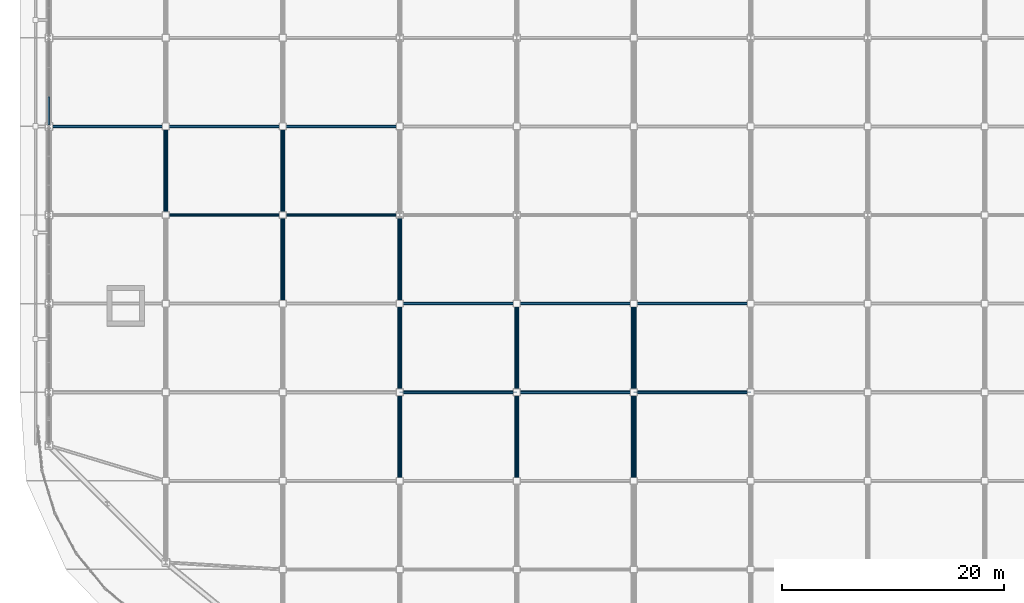
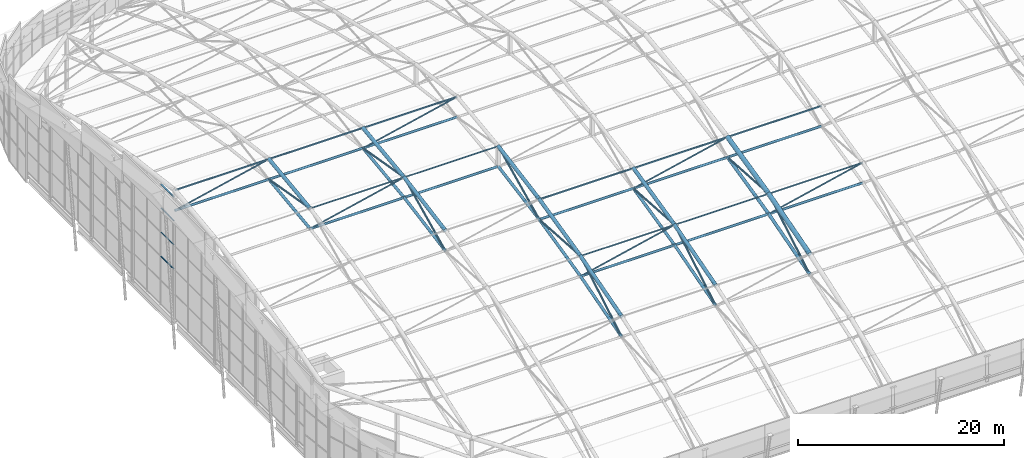
# One storey, part 7 of 42: 62 members, 1 element without a shape of its own.
"""IFC4 building model written with IfcOpenShell, lengths in metres."""

from ifc_helpers import new_model, si_unit, direction, frame, origin, origin_2d, place, context, subcontext, project, spatial, rectangle, hollow_rectangle, hollow_circle, extrude, material, layer, layer_set, material_profile, profile_set, type_object, element, aggregate, save


model = new_model("IFC4")

# Units and contexts
model_context = context("Model", 3, precision=1e-05, world=origin(), true_north=direction((0.0, 1.0)))
body_context = subcontext(model_context, "Body", "Model", "MODEL_VIEW")
ifc_project = project(units=[si_unit("LENGTHUNIT", "METRE"), si_unit("AREAUNIT", "SQUARE_METRE"), si_unit("VOLUMEUNIT", "CUBIC_METRE"), si_unit("PLANEANGLEUNIT", "RADIAN"), si_unit("MASSUNIT", "GRAM", prefix="KILO")], contexts=[model_context])

# Site, building, storey
site_placement = place(None, origin())
site = spatial("IfcSite", under=ifc_project, at=site_placement, CompositionType="ELEMENT")
building_placement = place(site_placement, origin())
building = spatial("IfcBuilding", under=site, at=building_placement, Name="Caelomonte Colonnade Arena", CompositionType="ELEMENT")
storey_placement = place(building_placement, frame((0.0, 0.0, 28.199951171875)))
storey = spatial("IfcBuildingStorey", under=building, at=storey_placement, Name="RF", CompositionType="ELEMENT", Elevation=28.199951171875)

# Curtain wall, members
ifc_material_1 = material(Name="Bronze anodised aluminium and low-E glazing", Category="aluminium")
ifc_layer = layer(ifc_material_1, 0.179931640625)
ifc_layer_set = layer_set([ifc_layer], Name="Bronze anodised aluminium and low-E glazing")
curtain_wall_type = type_object("IfcCurtainWallType", Name="ENV-CW-CW-TYMP-05", PredefinedType="USERDEFINED", material=ifc_layer_set)
curtain_wall_placement = place(storey_placement, origin())
curtain_wall = element("IfcCurtainWall", 1, at=curtain_wall_placement, inside=storey, type_object=curtain_wall_type, Name="Barrel arch W clerestory tympanum curtain wall 5", ObjectType="UNITIZED CURTAIN WALL", PredefinedType="USERDEFINED")
ifc_material_2 = material(Name="Bronze anodised aluminium AA6063-T6", Category="aluminium")
ifc_material_profile_1 = material_profile(ifc_material_2, rectangle(XDim=0.070068359375, YDim=0.139892578125, at=origin_2d()), Name="CWT-70X140")
ifc_profile_set_1 = profile_set([ifc_material_profile_1], Name="Bronze anodised aluminium AA6063-T6")
member_type_1 = type_object("IfcMemberType", Name="ENV-CW-TRAN1", PredefinedType="USERDEFINED", material=ifc_profile_set_1)
member_1_placement = place(storey_placement, frame((57.60009765625, 69.8583984375, 5.56396484375), z_axis=(0.0, -1.0, 0.0), x_axis=(0.0, 0.0, 1.0)))
member_1 = element("IfcMember", 2, at=member_1_placement, type_object=member_type_1, Name="CW-TYMP-05 transom 3.3", ObjectType="TRANSOM", PredefinedType="USERDEFINED", context=body_context, shape_type="SweptSolid", body=[
    extrude(rectangle(XDim=0.070068359375, YDim=0.139892578125, at=origin_2d()), origin(), (0.0, 0.0, 1.0), 2.50830078125),
])
member_2_placement = place(storey_placement, frame((57.60009765625, 69.8583984375, 8.421142578125), z_axis=(0.0, -1.0, 0.0), x_axis=(0.0, 0.0, 1.0)))
member_2 = element("IfcMember", 3, at=member_2_placement, type_object=member_type_1, Name="CW-TYMP-05 transom 3.4", ObjectType="TRANSOM", PredefinedType="USERDEFINED", context=body_context, shape_type="SweptSolid", body=[
    extrude(rectangle(XDim=0.070068359375, YDim=0.139892578125, at=origin_2d()), origin(), (0.0, 0.0, 1.0), 2.50830078125),
])
member_3_placement = place(storey_placement, frame((57.60009765625, 69.8583984375, 11.278076171875), z_axis=(0.0, -1.0, 0.0), x_axis=(0.0, 0.0, 1.0)))
member_3 = element("IfcMember", 4, at=member_3_placement, type_object=member_type_1, Name="CW-TYMP-05 transom 3.5", ObjectType="TRANSOM", PredefinedType="USERDEFINED", context=body_context, shape_type="SweptSolid", body=[
    extrude(rectangle(XDim=0.070068359375, YDim=0.139892578125, at=origin_2d()), origin(), (0.0, 0.0, 1.0), 2.50830078125),
])
member_4_placement = place(storey_placement, frame((57.60009765625, 69.8583984375, 14.10009765625), z_axis=(0.0, -1.0, 0.0), x_axis=(0.0, 0.0, 1.0)))
member_4 = element("IfcMember", 5, at=member_4_placement, type_object=member_type_1, Name="CW-TYMP-05 transom 3.6", ObjectType="TRANSOM", PredefinedType="USERDEFINED", context=body_context, shape_type="SweptSolid", body=[
    extrude(rectangle(XDim=0.070068359375, YDim=0.139892578125, at=origin_2d()), origin(), (0.0, 0.0, 1.0), 2.50830078125),
])
aggregate(curtain_wall, [member_1, member_2, member_3, member_4])

# Members
ifc_material_3 = material(Name="Steel ASTM A500 Grade C", Category="steel")
ifc_material_profile_2 = material_profile(ifc_material_3, hollow_circle(Radius=0.177734375, WallThickness=0.0126953125, at=origin_2d()), Name="CHS355.6X12.7")
ifc_profile_set_2 = profile_set([ifc_material_profile_2], Name="Steel ASTM A500 Grade C")
member_type_2 = type_object("IfcMemberType", Name="STR-SF-BC1", PredefinedType="CHORD", material=ifc_profile_set_2)
member_5_placement = place(storey_placement, frame((110.39990234375, 35.201904296875, 5.936767578125), z_axis=(0.0, 0.960531688459, 0.278170586988), x_axis=(-1.0, 0.0, 0.0)))
element("IfcMember", 6, at=member_5_placement, inside=storey, type_object=member_type_2, Name="Arched roof truss bottom chord 5-2", PredefinedType="CHORD", context=body_context, shape_type="SweptSolid", body=[
    extrude(hollow_circle(Radius=0.177734375, WallThickness=0.0126953125, at=origin_2d()), origin(), (0.0, 0.0, 1.0), 8.32470703125),
])
member_6_placement = place(storey_placement, frame((110.39990234375, 43.201904296875, 8.253662109375), z_axis=(0.0, 0.973406253466, 0.229085716955), x_axis=(-1.0, 0.0, 0.0)))
element("IfcMember", 7, at=member_6_placement, inside=storey, type_object=member_type_2, Name="Arched roof truss bottom chord 5-3", PredefinedType="CHORD", context=body_context, shape_type="SweptSolid", body=[
    extrude(hollow_circle(Radius=0.177734375, WallThickness=0.0126953125, at=origin_2d()), origin(), (0.0, 0.0, 1.0), 8.214599609375),
])
ifc_material_profile_3 = material_profile(ifc_material_3, hollow_circle(Radius=0.161865234375, WallThickness=0.010009765625, at=origin_2d()), Name="CHS323.9X10.0")
ifc_profile_set_3 = profile_set([ifc_material_profile_3], Name="Steel ASTM A500 Grade C")
member_type_3 = type_object("IfcMemberType", Name="STR-SF-BC2", PredefinedType="CHORD", material=ifc_profile_set_3)
member_7_placement = place(storey_placement, frame((68.159912109375, 59.201904296875, 11.58544921875), z_axis=(0.0, 0.992048803131, 0.125853773113), x_axis=(-1.0, 0.0, 0.0)))
element("IfcMember", 8, at=member_7_placement, inside=storey, type_object=member_type_3, Name="Arched roof truss bottom chord 1-5", PredefinedType="CHORD", context=body_context, shape_type="SweptSolid", body=[
    extrude(hollow_circle(Radius=0.161865234375, WallThickness=0.010009765625, at=origin_2d()), origin(), (0.0, 0.0, 1.0), 8.060302734375),
])
member_8_placement = place(storey_placement, frame((78.719970703125, 51.201904296875, 10.136474609375), z_axis=(0.0, 0.983990820662, 0.178219148393), x_axis=(-1.0, 0.0, 0.0)))
element("IfcMember", 9, at=member_8_placement, inside=storey, type_object=member_type_3, Name="Arched roof truss bottom chord 2-4", PredefinedType="CHORD", context=body_context, shape_type="SweptSolid", body=[
    extrude(hollow_circle(Radius=0.161865234375, WallThickness=0.010009765625, at=origin_2d()), origin(), (0.0, 0.0, 1.0), 8.126220703125),
])
member_9_placement = place(storey_placement, frame((78.719970703125, 59.201904296875, 11.58544921875), z_axis=(0.0, 0.992048803131, 0.125853773113), x_axis=(-1.0, 0.0, 0.0)))
element("IfcMember", 10, at=member_9_placement, inside=storey, type_object=member_type_3, Name="Arched roof truss bottom chord 2-5", PredefinedType="CHORD", context=body_context, shape_type="SweptSolid", body=[
    extrude(hollow_circle(Radius=0.161865234375, WallThickness=0.010009765625, at=origin_2d()), origin(), (0.0, 0.0, 1.0), 8.060302734375),
])
member_10_placement = place(storey_placement, frame((89.280029296875, 35.201904296875, 5.936767578125), z_axis=(0.0, 0.960531688459, 0.278170586988), x_axis=(-1.0, 0.0, 0.0)))
element("IfcMember", 11, at=member_10_placement, inside=storey, type_object=member_type_3, Name="Arched roof truss bottom chord 3-2", PredefinedType="CHORD", context=body_context, shape_type="SweptSolid", body=[
    extrude(hollow_circle(Radius=0.161865234375, WallThickness=0.010009765625, at=origin_2d()), origin(), (0.0, 0.0, 1.0), 8.32470703125),
])
member_11_placement = place(storey_placement, frame((89.280029296875, 43.201904296875, 8.253662109375), z_axis=(0.0, 0.973406253466, 0.229085716955), x_axis=(-1.0, 0.0, 0.0)))
element("IfcMember", 12, at=member_11_placement, inside=storey, type_object=member_type_3, Name="Arched roof truss bottom chord 3-3", PredefinedType="CHORD", context=body_context, shape_type="SweptSolid", body=[
    extrude(hollow_circle(Radius=0.161865234375, WallThickness=0.010009765625, at=origin_2d()), origin(), (0.0, 0.0, 1.0), 8.214599609375),
])
member_12_placement = place(storey_placement, frame((89.280029296875, 51.201904296875, 10.136474609375), z_axis=(0.0, 0.983990820662, 0.178219148393), x_axis=(-1.0, 0.0, 0.0)))
element("IfcMember", 13, at=member_12_placement, inside=storey, type_object=member_type_3, Name="Arched roof truss bottom chord 3-4", PredefinedType="CHORD", context=body_context, shape_type="SweptSolid", body=[
    extrude(hollow_circle(Radius=0.161865234375, WallThickness=0.010009765625, at=origin_2d()), origin(), (0.0, 0.0, 1.0), 8.126220703125),
])
member_13_placement = place(storey_placement, frame((99.840087890625, 35.201904296875, 5.936767578125), z_axis=(0.0, 0.960531688459, 0.278170586988), x_axis=(-1.0, 0.0, 0.0)))
element("IfcMember", 14, at=member_13_placement, inside=storey, type_object=member_type_3, Name="Arched roof truss bottom chord 4-2", PredefinedType="CHORD", context=body_context, shape_type="SweptSolid", body=[
    extrude(hollow_circle(Radius=0.161865234375, WallThickness=0.010009765625, at=origin_2d()), origin(), (0.0, 0.0, 1.0), 8.32470703125),
])
member_14_placement = place(storey_placement, frame((99.840087890625, 43.201904296875, 8.253662109375), z_axis=(0.0, 0.973406253466, 0.229085716955), x_axis=(-1.0, 0.0, 0.0)))
element("IfcMember", 15, at=member_14_placement, inside=storey, type_object=member_type_3, Name="Arched roof truss bottom chord 4-3", PredefinedType="CHORD", context=body_context, shape_type="SweptSolid", body=[
    extrude(hollow_circle(Radius=0.161865234375, WallThickness=0.010009765625, at=origin_2d()), origin(), (0.0, 0.0, 1.0), 8.214599609375),
])
ifc_material_profile_4 = material_profile(ifc_material_3, hollow_rectangle(XDim=0.15234375, YDim=0.15234375, WallThickness=0.008056640625, InnerFilletRadius=0.008056640625, OuterFilletRadius=0.01611328125, at=origin_2d()), Name="HSS152X152X8.0")
ifc_profile_set_4 = profile_set([ifc_material_profile_4], Name="Steel ASTM A500 Grade C")
member_type_4 = type_object("IfcMemberType", Name="STR-SF-PUR2", PredefinedType="PURLIN", material=ifc_profile_set_4)
for number, where, z_axis, x_axis, name in (
    (16, (57.60205078125, 67.199951171875, 15.0), (1.0, 0.0, 0.0), (0.0, 1.0, 0.0), "Arched roof purlin 0-6"),
    (17, (68.162109375, 67.199951171875, 15.0), (1.0, 0.0, 0.0), (0.0, 1.0, 0.0), "Arched roof purlin 1-6"),
):
    element("IfcMember", number, at=place(storey_placement, frame(where, z_axis=z_axis, x_axis=x_axis)), inside=storey, type_object=member_type_4, Name=name, PredefinedType="PURLIN", context=body_context, shape_type="SweptSolid", body=[
        extrude(hollow_rectangle(XDim=0.15234375, YDim=0.15234375, WallThickness=0.008056640625, InnerFilletRadius=0.008056640625, OuterFilletRadius=0.01611328125, at=origin_2d()), origin(), (0.0, 0.0, 1.0), 10.555908203125),
    ])
member_15_placement = place(storey_placement, frame((78.721923828125, 67.199951171875, 15.0), z_axis=(1.0, 0.0, 0.0), x_axis=(0.0, 1.0, 0.0)))
element("IfcMember", 18, at=member_15_placement, inside=storey, type_object=member_type_4, Name="Arched roof purlin 2-6", PredefinedType="PURLIN", context=body_context, shape_type="SweptSolid", body=[
    extrude(hollow_rectangle(XDim=0.15234375, YDim=0.15234375, WallThickness=0.008056640625, InnerFilletRadius=0.008056640625, OuterFilletRadius=0.01611328125, at=origin_2d()), origin(), (0.0, 0.0, 1.0), 10.55615234375),
])
for number, where, z_axis, x_axis, name in (
    (19, (89.281982421875, 51.199951171875, 12.5361328125), (1.0, 0.0, 0.0), (0.0, 1.0, 0.0), "Arched roof purlin 3-4"),
    (20, (99.842041015625, 51.199951171875, 12.5361328125), (1.0, 0.0, 0.0), (0.0, 1.0, 0.0), "Arched roof purlin 4-4"),
    (21, (110.402099609375, 51.199951171875, 12.5361328125), (1.0, 0.0, 0.0), (0.0, 1.0, 0.0), "Arched roof purlin 5-4"),
):
    element("IfcMember", number, at=place(storey_placement, frame(where, z_axis=z_axis, x_axis=x_axis)), inside=storey, type_object=member_type_4, Name=name, PredefinedType="PURLIN", context=body_context, shape_type="SweptSolid", body=[
        extrude(hollow_rectangle(XDim=0.15234375, YDim=0.15234375, WallThickness=0.008056640625, InnerFilletRadius=0.008056640625, OuterFilletRadius=0.01611328125, at=origin_2d()), origin(), (0.0, 0.0, 1.0), 10.555908203125),
    ])
ifc_material_profile_5 = material_profile(ifc_material_3, hollow_rectangle(XDim=0.126953125, YDim=0.126953125, WallThickness=0.00634765625, InnerFilletRadius=0.00634765625, OuterFilletRadius=0.0126953125, at=origin_2d()), Name="HSS127X127X6.4")
ifc_profile_set_5 = profile_set([ifc_material_profile_5], Name="Steel ASTM A500 Grade C")
member_type_5 = type_object("IfcMemberType", Name="STR-SF-PUR3", PredefinedType="PURLIN", material=ifc_profile_set_5)
member_16_placement = place(storey_placement, frame((68.162109375, 59.199951171875, 13.985107421875), z_axis=(1.0, 0.0, 0.0), x_axis=(0.0, 1.0, 0.0)))
element("IfcMember", 22, at=member_16_placement, inside=storey, type_object=member_type_5, Name="Arched roof purlin 1-5", PredefinedType="PURLIN", context=body_context, shape_type="SweptSolid", body=[
    extrude(hollow_rectangle(XDim=0.126953125, YDim=0.126953125, WallThickness=0.00634765625, InnerFilletRadius=0.00634765625, OuterFilletRadius=0.0126953125, at=origin_2d()), origin(), (0.0, 0.0, 1.0), 10.555908203125),
])
member_17_placement = place(storey_placement, frame((78.721923828125, 59.199951171875, 13.985107421875), z_axis=(1.0, 0.0, 0.0), x_axis=(0.0, 1.0, 0.0)))
element("IfcMember", 23, at=member_17_placement, inside=storey, type_object=member_type_5, Name="Arched roof purlin 2-5", PredefinedType="PURLIN", context=body_context, shape_type="SweptSolid", body=[
    extrude(hollow_rectangle(XDim=0.126953125, YDim=0.126953125, WallThickness=0.00634765625, InnerFilletRadius=0.00634765625, OuterFilletRadius=0.0126953125, at=origin_2d()), origin(), (0.0, 0.0, 1.0), 10.55615234375),
])
for number, where, z_axis, x_axis, name in (
    (24, (89.281982421875, 43.199951171875, 10.653076171875), (1.0, 0.0, 0.0), (0.0, 1.0, 0.0), "Arched roof purlin 3-3"),
    (25, (99.842041015625, 43.199951171875, 10.653076171875), (1.0, 0.0, 0.0), (0.0, 1.0, 0.0), "Arched roof purlin 4-3"),
    (26, (110.402099609375, 43.199951171875, 10.653076171875), (1.0, 0.0, 0.0), (0.0, 1.0, 0.0), "Arched roof purlin 5-3"),
):
    element("IfcMember", number, at=place(storey_placement, frame(where, z_axis=z_axis, x_axis=x_axis)), inside=storey, type_object=member_type_5, Name=name, PredefinedType="PURLIN", context=body_context, shape_type="SweptSolid", body=[
        extrude(hollow_rectangle(XDim=0.126953125, YDim=0.126953125, WallThickness=0.00634765625, InnerFilletRadius=0.00634765625, OuterFilletRadius=0.0126953125, at=origin_2d()), origin(), (0.0, 0.0, 1.0), 10.555908203125),
    ])
ifc_material_profile_6 = material_profile(ifc_material_3, hollow_circle(Radius=0.25390625, WallThickness=0.015869140625, at=origin_2d()), Name="CHS508X15.9")
ifc_profile_set_6 = profile_set([ifc_material_profile_6], Name="Steel ASTM A500 Grade C")
member_type_6 = type_object("IfcMemberType", Name="STR-SF-TC1", PredefinedType="CHORD", material=ifc_profile_set_6)
member_18_placement = place(storey_placement, frame((110.39990234375, 35.201904296875, 8.336669921875), z_axis=(0.0, 0.960531688459, 0.278170586988), x_axis=(-1.0, 0.0, 0.0)))
element("IfcMember", 27, at=member_18_placement, inside=storey, type_object=member_type_6, Name="Arched roof truss top chord 5-2", PredefinedType="CHORD", context=body_context, shape_type="SweptSolid", body=[
    extrude(hollow_circle(Radius=0.25390625, WallThickness=0.015869140625, at=origin_2d()), origin(), (0.0, 0.0, 1.0), 8.32470703125),
])
member_19_placement = place(storey_placement, frame((110.39990234375, 43.201904296875, 10.653564453125), z_axis=(0.0, 0.973399625624, 0.229113877441), x_axis=(-1.0, 0.0, 0.0)))
element("IfcMember", 28, at=member_19_placement, inside=storey, type_object=member_type_6, Name="Arched roof truss top chord 5-3", PredefinedType="CHORD", context=body_context, shape_type="SweptSolid", body=[
    extrude(hollow_circle(Radius=0.25390625, WallThickness=0.015869140625, at=origin_2d()), origin(), (0.0, 0.0, 1.0), 8.214599609375),
])
ifc_material_profile_7 = material_profile(ifc_material_3, hollow_circle(Radius=0.203125, WallThickness=0.0126953125, at=origin_2d()), Name="CHS406.4X12.7")
ifc_profile_set_7 = profile_set([ifc_material_profile_7], Name="Steel ASTM A500 Grade C")
member_type_7 = type_object("IfcMemberType", Name="STR-SF-TC2", PredefinedType="CHORD", material=ifc_profile_set_7)
member_20_placement = place(storey_placement, frame((68.159912109375, 59.201904296875, 13.9853515625), z_axis=(0.0, 0.992048803131, 0.125853773113), x_axis=(-1.0, 0.0, 0.0)))
element("IfcMember", 29, at=member_20_placement, inside=storey, type_object=member_type_7, Name="Arched roof truss top chord 1-5", PredefinedType="CHORD", context=body_context, shape_type="SweptSolid", body=[
    extrude(hollow_circle(Radius=0.203125, WallThickness=0.0126953125, at=origin_2d()), origin(), (0.0, 0.0, 1.0), 8.060302734375),
])
member_21_placement = place(storey_placement, frame((78.719970703125, 51.201904296875, 12.536376953125), z_axis=(0.0, 0.983990820662, 0.178219148393), x_axis=(-1.0, 0.0, 0.0)))
element("IfcMember", 30, at=member_21_placement, inside=storey, type_object=member_type_7, Name="Arched roof truss top chord 2-4", PredefinedType="CHORD", context=body_context, shape_type="SweptSolid", body=[
    extrude(hollow_circle(Radius=0.203125, WallThickness=0.0126953125, at=origin_2d()), origin(), (0.0, 0.0, 1.0), 8.126220703125),
])
member_22_placement = place(storey_placement, frame((78.719970703125, 59.201904296875, 13.9853515625), z_axis=(0.0, 0.992048803131, 0.125853773113), x_axis=(-1.0, 0.0, 0.0)))
element("IfcMember", 31, at=member_22_placement, inside=storey, type_object=member_type_7, Name="Arched roof truss top chord 2-5", PredefinedType="CHORD", context=body_context, shape_type="SweptSolid", body=[
    extrude(hollow_circle(Radius=0.203125, WallThickness=0.0126953125, at=origin_2d()), origin(), (0.0, 0.0, 1.0), 8.060302734375),
])
member_23_placement = place(storey_placement, frame((89.280029296875, 35.201904296875, 8.336669921875), z_axis=(0.0, 0.960531688459, 0.278170586988), x_axis=(-1.0, 0.0, 0.0)))
element("IfcMember", 32, at=member_23_placement, inside=storey, type_object=member_type_7, Name="Arched roof truss top chord 3-2", PredefinedType="CHORD", context=body_context, shape_type="SweptSolid", body=[
    extrude(hollow_circle(Radius=0.203125, WallThickness=0.0126953125, at=origin_2d()), origin(), (0.0, 0.0, 1.0), 8.32470703125),
])
member_24_placement = place(storey_placement, frame((89.280029296875, 43.201904296875, 10.653564453125), z_axis=(0.0, 0.973399625624, 0.229113877441), x_axis=(-1.0, 0.0, 0.0)))
element("IfcMember", 33, at=member_24_placement, inside=storey, type_object=member_type_7, Name="Arched roof truss top chord 3-3", PredefinedType="CHORD", context=body_context, shape_type="SweptSolid", body=[
    extrude(hollow_circle(Radius=0.203125, WallThickness=0.0126953125, at=origin_2d()), origin(), (0.0, 0.0, 1.0), 8.214599609375),
])
member_25_placement = place(storey_placement, frame((89.280029296875, 51.201904296875, 12.536376953125), z_axis=(0.0, 0.983990820662, 0.178219148393), x_axis=(-1.0, 0.0, 0.0)))
element("IfcMember", 34, at=member_25_placement, inside=storey, type_object=member_type_7, Name="Arched roof truss top chord 3-4", PredefinedType="CHORD", context=body_context, shape_type="SweptSolid", body=[
    extrude(hollow_circle(Radius=0.203125, WallThickness=0.0126953125, at=origin_2d()), origin(), (0.0, 0.0, 1.0), 8.126220703125),
])
member_26_placement = place(storey_placement, frame((99.840087890625, 35.201904296875, 8.336669921875), z_axis=(0.0, 0.960531688459, 0.278170586988), x_axis=(-1.0, 0.0, 0.0)))
element("IfcMember", 35, at=member_26_placement, inside=storey, type_object=member_type_7, Name="Arched roof truss top chord 4-2", PredefinedType="CHORD", context=body_context, shape_type="SweptSolid", body=[
    extrude(hollow_circle(Radius=0.203125, WallThickness=0.0126953125, at=origin_2d()), origin(), (0.0, 0.0, 1.0), 8.32470703125),
])
member_27_placement = place(storey_placement, frame((99.840087890625, 43.201904296875, 10.653564453125), z_axis=(0.0, 0.973399625624, 0.229113877441), x_axis=(-1.0, 0.0, 0.0)))
element("IfcMember", 36, at=member_27_placement, inside=storey, type_object=member_type_7, Name="Arched roof truss top chord 4-3", PredefinedType="CHORD", context=body_context, shape_type="SweptSolid", body=[
    extrude(hollow_circle(Radius=0.203125, WallThickness=0.0126953125, at=origin_2d()), origin(), (0.0, 0.0, 1.0), 8.214599609375),
])
ifc_material_profile_8 = material_profile(ifc_material_3, hollow_circle(Radius=0.136474609375, WallThickness=0.00927734375, at=origin_2d()), Name="CHS273.0X9.3")
ifc_profile_set_8 = profile_set([ifc_material_profile_8], Name="Steel ASTM A500 Grade C")
member_type_8 = type_object("IfcMemberType", Name="STR-SF-TIE", PredefinedType="STRUT", material=ifc_profile_set_8)
for number, where, z_axis, x_axis, name in (
    (37, (57.60205078125, 67.199951171875, 12.60009765625), (1.0, 0.0, 0.0), (0.0, 1.0, 0.0), "Space frame roof tie strut 0-6"),
    (38, (68.162109375, 59.199951171875, 11.5849609375), (1.0, 0.0, 0.0), (0.0, 1.0, 0.0), "Space frame roof tie strut 1-5"),
    (39, (68.162109375, 67.199951171875, 12.60009765625), (1.0, 0.0, 0.0), (0.0, 1.0, 0.0), "Space frame roof tie strut 1-6"),
):
    element("IfcMember", number, at=place(storey_placement, frame(where, z_axis=z_axis, x_axis=x_axis)), inside=storey, type_object=member_type_8, Name=name, PredefinedType="STRUT", context=body_context, shape_type="SweptSolid", body=[
        extrude(hollow_circle(Radius=0.136474609375, WallThickness=0.00927734375, at=origin_2d()), origin(), (0.0, 0.0, 1.0), 10.555908203125),
    ])
for number, where, z_axis, x_axis, name in (
    (40, (78.721923828125, 59.199951171875, 11.5849609375), (1.0, 0.0, 0.0), (0.0, 1.0, 0.0), "Space frame roof tie strut 2-5"),
    (41, (78.721923828125, 67.199951171875, 12.60009765625), (1.0, 0.0, 0.0), (0.0, 1.0, 0.0), "Space frame roof tie strut 2-6"),
):
    element("IfcMember", number, at=place(storey_placement, frame(where, z_axis=z_axis, x_axis=x_axis)), inside=storey, type_object=member_type_8, Name=name, PredefinedType="STRUT", context=body_context, shape_type="SweptSolid", body=[
        extrude(hollow_circle(Radius=0.136474609375, WallThickness=0.00927734375, at=origin_2d()), origin(), (0.0, 0.0, 1.0), 10.55615234375),
    ])
for number, where, z_axis, x_axis, name in (
    (42, (89.281982421875, 43.199951171875, 8.2529296875), (1.0, 0.0, 0.0), (0.0, 1.0, 0.0), "Space frame roof tie strut 3-3"),
    (43, (89.281982421875, 51.199951171875, 10.135986328125), (1.0, 0.0, 0.0), (0.0, 1.0, 0.0), "Space frame roof tie strut 3-4"),
    (44, (99.842041015625, 43.199951171875, 8.2529296875), (1.0, 0.0, 0.0), (0.0, 1.0, 0.0), "Space frame roof tie strut 4-3"),
    (45, (99.842041015625, 51.199951171875, 10.135986328125), (1.0, 0.0, 0.0), (0.0, 1.0, 0.0), "Space frame roof tie strut 4-4"),
    (46, (110.402099609375, 43.199951171875, 8.2529296875), (1.0, 0.0, 0.0), (0.0, 1.0, 0.0), "Space frame roof tie strut 5-3"),
    (47, (110.402099609375, 51.199951171875, 10.135986328125), (1.0, 0.0, 0.0), (0.0, 1.0, 0.0), "Space frame roof tie strut 5-4"),
):
    element("IfcMember", number, at=place(storey_placement, frame(where, z_axis=z_axis, x_axis=x_axis)), inside=storey, type_object=member_type_8, Name=name, PredefinedType="STRUT", context=body_context, shape_type="SweptSolid", body=[
        extrude(hollow_circle(Radius=0.136474609375, WallThickness=0.00927734375, at=origin_2d()), origin(), (0.0, 0.0, 1.0), 10.555908203125),
    ])
ifc_material_profile_9 = material_profile(ifc_material_3, hollow_circle(Radius=0.109619140625, WallThickness=0.00830078125, at=origin_2d()), Name="CHS219.1X8.2")
ifc_profile_set_9 = profile_set([ifc_material_profile_9], Name="Steel ASTM A500 Grade C")
member_type_9 = type_object("IfcMemberType", Name="STR-SF-WEB1", PredefinedType="BRACE", material=ifc_profile_set_9)
member_28_placement = place(storey_placement, frame((68.159912109375, 59.201904296875, 13.98486328125), z_axis=(0.0, 0.985338447855, -0.1706110875), x_axis=(-1.0, 0.0, 0.0)))
element("IfcMember", 48, at=member_28_placement, inside=storey, type_object=member_type_9, Name="Space frame roof truss web diagonal 1-5", PredefinedType="BRACE", context=body_context, shape_type="SweptSolid", body=[
    extrude(hollow_circle(Radius=0.109619140625, WallThickness=0.00830078125, at=origin_2d()), origin(), (0.0, 0.0, 1.0), 8.114990234375),
])
member_29_placement = place(storey_placement, frame((78.719970703125, 51.201904296875, 10.136962890625), z_axis=(0.0, 0.901130279028, 0.433548405854), x_axis=(-1.0, 0.0, 0.0)))
element("IfcMember", 49, at=member_29_placement, inside=storey, type_object=member_type_9, Name="Space frame roof truss web diagonal 2-4", PredefinedType="BRACE", context=body_context, shape_type="SweptSolid", body=[
    extrude(hollow_circle(Radius=0.109619140625, WallThickness=0.00830078125, at=origin_2d()), origin(), (0.0, 0.0, 1.0), 8.873779296875),
])
member_30_placement = place(storey_placement, frame((78.719970703125, 59.201904296875, 13.98486328125), z_axis=(0.0, 0.985338447855, -0.1706110875), x_axis=(-1.0, 0.0, 0.0)))
element("IfcMember", 50, at=member_30_placement, inside=storey, type_object=member_type_9, Name="Space frame roof truss web diagonal 2-5", PredefinedType="BRACE", context=body_context, shape_type="SweptSolid", body=[
    extrude(hollow_circle(Radius=0.109619140625, WallThickness=0.00830078125, at=origin_2d()), origin(), (0.0, 0.0, 1.0), 8.114990234375),
])
member_31_placement = place(storey_placement, frame((89.280029296875, 35.20166015625, 5.93701171875), z_axis=(0.0, 0.861405734482, 0.507917474203), x_axis=(-1.0, 0.0, 0.0)))
element("IfcMember", 51, at=member_31_placement, inside=storey, type_object=member_type_9, Name="Space frame roof truss web diagonal 3-2", PredefinedType="BRACE", context=body_context, shape_type="SweptSolid", body=[
    extrude(hollow_circle(Radius=0.109619140625, WallThickness=0.00830078125, at=origin_2d()), origin(), (0.0, 0.0, 1.0), 9.283203125),
])
member_32_placement = place(storey_placement, frame((89.280029296875, 43.201904296875, 10.65283203125), z_axis=(0.0, 0.997919495279, -0.064472326942), x_axis=(-1.0, 0.0, 0.0)))
element("IfcMember", 52, at=member_32_placement, inside=storey, type_object=member_type_9, Name="Space frame roof truss web diagonal 3-3", PredefinedType="BRACE", context=body_context, shape_type="SweptSolid", body=[
    extrude(hollow_circle(Radius=0.109619140625, WallThickness=0.00830078125, at=origin_2d()), origin(), (0.0, 0.0, 1.0), 8.0126953125),
])
member_33_placement = place(storey_placement, frame((89.280029296875, 51.201904296875, 10.136962890625), z_axis=(0.0, 0.901130279028, 0.433548405854), x_axis=(-1.0, 0.0, 0.0)))
element("IfcMember", 53, at=member_33_placement, inside=storey, type_object=member_type_9, Name="Space frame roof truss web diagonal 3-4", PredefinedType="BRACE", context=body_context, shape_type="SweptSolid", body=[
    extrude(hollow_circle(Radius=0.109619140625, WallThickness=0.00830078125, at=origin_2d()), origin(), (0.0, 0.0, 1.0), 8.873779296875),
])
member_34_placement = place(storey_placement, frame((99.840087890625, 35.20166015625, 5.93701171875), z_axis=(0.0, 0.861405734482, 0.507917474203), x_axis=(-1.0, 0.0, 0.0)))
element("IfcMember", 54, at=member_34_placement, inside=storey, type_object=member_type_9, Name="Space frame roof truss web diagonal 4-2", PredefinedType="BRACE", context=body_context, shape_type="SweptSolid", body=[
    extrude(hollow_circle(Radius=0.109619140625, WallThickness=0.00830078125, at=origin_2d()), origin(), (0.0, 0.0, 1.0), 9.283203125),
])
member_35_placement = place(storey_placement, frame((99.840087890625, 43.201904296875, 10.65283203125), z_axis=(0.0, 0.997919495279, -0.064472326942), x_axis=(-1.0, 0.0, 0.0)))
element("IfcMember", 55, at=member_35_placement, inside=storey, type_object=member_type_9, Name="Space frame roof truss web diagonal 4-3", PredefinedType="BRACE", context=body_context, shape_type="SweptSolid", body=[
    extrude(hollow_circle(Radius=0.109619140625, WallThickness=0.00830078125, at=origin_2d()), origin(), (0.0, 0.0, 1.0), 8.0126953125),
])
member_36_placement = place(storey_placement, frame((110.39990234375, 35.20166015625, 5.93701171875), z_axis=(0.0, 0.861405734482, 0.507917474203), x_axis=(-1.0, 0.0, 0.0)))
element("IfcMember", 56, at=member_36_placement, inside=storey, type_object=member_type_9, Name="Space frame roof truss web diagonal 5-2", PredefinedType="BRACE", context=body_context, shape_type="SweptSolid", body=[
    extrude(hollow_circle(Radius=0.109619140625, WallThickness=0.00830078125, at=origin_2d()), origin(), (0.0, 0.0, 1.0), 9.283203125),
])
member_37_placement = place(storey_placement, frame((110.39990234375, 43.201904296875, 10.65283203125), z_axis=(0.0, 0.997919495279, -0.064472326942), x_axis=(-1.0, 0.0, 0.0)))
element("IfcMember", 57, at=member_37_placement, inside=storey, type_object=member_type_9, Name="Space frame roof truss web diagonal 5-3", PredefinedType="BRACE", context=body_context, shape_type="SweptSolid", body=[
    extrude(hollow_circle(Radius=0.109619140625, WallThickness=0.00830078125, at=origin_2d()), origin(), (0.0, 0.0, 1.0), 8.0126953125),
])
ifc_material_profile_10 = material_profile(ifc_material_3, hollow_circle(Radius=0.084228515625, WallThickness=0.007080078125, at=origin_2d()), Name="CHS168.3X7.1")
ifc_profile_set_10 = profile_set([ifc_material_profile_10], Name="Steel ASTM A500 Grade C")
member_type_10 = type_object("IfcMemberType", Name="STR-SF-WEB2", PredefinedType="BRACE", material=ifc_profile_set_10)
for number, where, z_axis, x_axis, name in (
    (58, (57.60205078125, 67.199951171875, 12.600341796875), (0.9751259875, 0.0, 0.221651321904), (0.0, 1.0, 0.0), "Space frame transverse diagonal 0-6"),
    (59, (68.162109375, 59.199951171875, 11.58544921875), (0.975130861858, 0.0, 0.221629876714), (0.0, 1.0, 0.0), "Space frame transverse diagonal 1-5"),
):
    element("IfcMember", number, at=place(storey_placement, frame(where, z_axis=z_axis, x_axis=x_axis)), inside=storey, type_object=member_type_10, Name=name, PredefinedType="BRACE", context=body_context, shape_type="SweptSolid", body=[
        extrude(hollow_circle(Radius=0.084228515625, WallThickness=0.007080078125, at=origin_2d()), origin(), (0.0, 0.0, 1.0), 10.8251953125),
    ])
member_38_placement = place(storey_placement, frame((78.721923828125, 67.199951171875, 12.600341796875), z_axis=(0.975127095479, 0.0, 0.221646447439), x_axis=(0.0, 1.0, 0.0)))
element("IfcMember", 60, at=member_38_placement, inside=storey, type_object=member_type_10, Name="Space frame transverse diagonal 2-6", PredefinedType="BRACE", context=body_context, shape_type="SweptSolid", body=[
    extrude(hollow_circle(Radius=0.084228515625, WallThickness=0.007080078125, at=origin_2d()), origin(), (0.0, 0.0, 1.0), 10.825439453125),
])
for number, where, z_axis, x_axis, name in (
    (61, (89.281982421875, 43.199951171875, 8.25341796875), (0.975130861858, 0.0, 0.221629876714), (0.0, 1.0, 0.0), "Space frame transverse diagonal 3-3"),
    (62, (99.842041015625, 51.199951171875, 10.136474609375), (0.975130861858, 0.0, 0.221629876714), (0.0, 1.0, 0.0), "Space frame transverse diagonal 4-4"),
    (63, (110.402099609375, 43.199951171875, 8.25341796875), (0.975130861858, 0.0, 0.221629876714), (0.0, 1.0, 0.0), "Space frame transverse diagonal 5-3"),
):
    element("IfcMember", number, at=place(storey_placement, frame(where, z_axis=z_axis, x_axis=x_axis)), inside=storey, type_object=member_type_10, Name=name, PredefinedType="BRACE", context=body_context, shape_type="SweptSolid", body=[
        extrude(hollow_circle(Radius=0.084228515625, WallThickness=0.007080078125, at=origin_2d()), origin(), (0.0, 0.0, 1.0), 10.8251953125),
    ])

save(model, "model.ifc")
